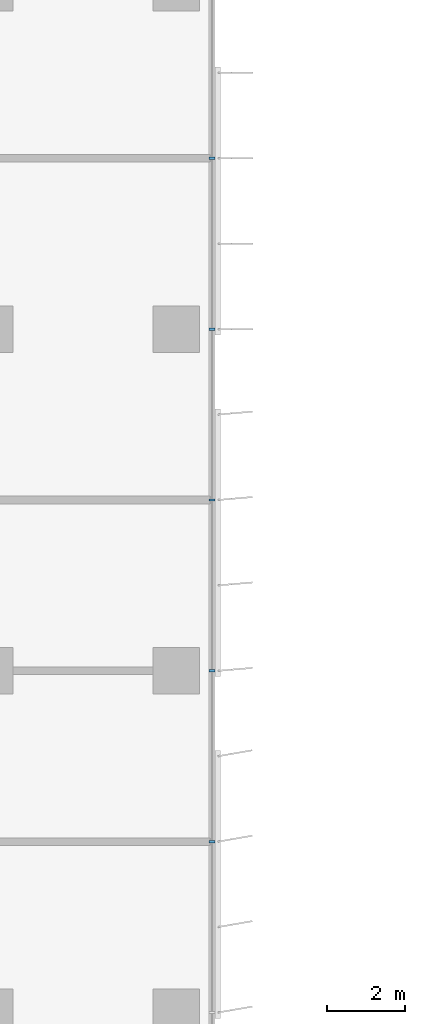
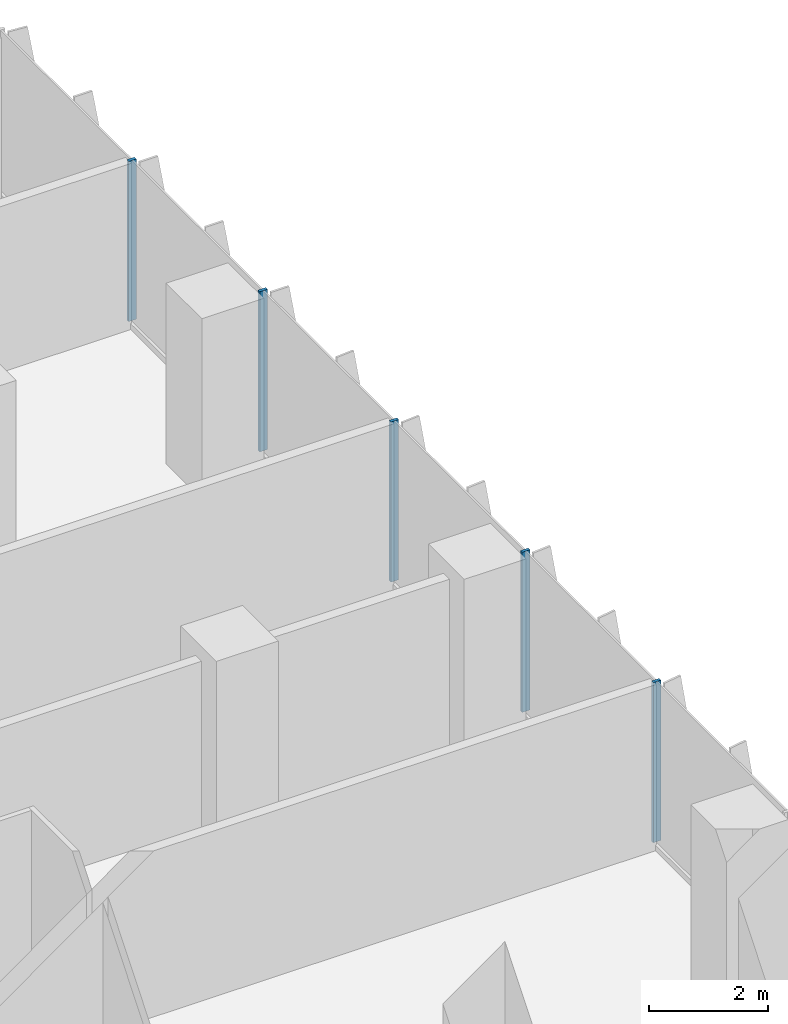
# One storey, part 5 of 23: 5 members, 1 element without a shape of its own.
"""IFC4 building model written with IfcOpenShell, lengths in metres."""

from ifc_helpers import new_model, si_unit, direction, frame, origin, origin_2d, place, context, subcontext, project, spatial, rectangle, extrude, source, transform, mapped, material, material_profile, profile_set, type_object, element, aggregate, save


model = new_model("IFC4")

# Units and contexts
model_context = context("Model", 3, precision=1e-05, world=origin(), true_north=direction((0.0, 1.0)))
body_context = subcontext(model_context, "Body", "Model", "MODEL_VIEW")
ifc_project = project(units=[si_unit("LENGTHUNIT", "METRE"), si_unit("AREAUNIT", "SQUARE_METRE"), si_unit("VOLUMEUNIT", "CUBIC_METRE"), si_unit("PLANEANGLEUNIT", "RADIAN"), si_unit("MASSUNIT", "GRAM", prefix="KILO")], contexts=[model_context])

# Site, building, storey
site_placement = place(None, origin())
site = spatial("IfcSite", under=ifc_project, at=site_placement, CompositionType="ELEMENT")
building_placement = place(site_placement, origin())
building = spatial("IfcBuilding", under=site, at=building_placement, Name="Kemantara Hotel Tower", CompositionType="ELEMENT")
storey_placement = place(building_placement, frame((0.0, 0.0, 142.0)))
storey = spatial("IfcBuildingStorey", under=building, at=storey_placement, Name="L34", CompositionType="ELEMENT", Elevation=142.0)

# Curtain wall, members
ifc_material_1 = material(Name="Low-E tinted double insulated glass 36 mm", Category="glass")
curtain_wall_type = type_object("IfcCurtainWallType", Name="TOWER CURTAIN WALL, FRONT FACES", PredefinedType="USERDEFINED", material=ifc_material_1)
curtain_wall_placement = place(storey_placement, origin())
curtain_wall = element("IfcCurtainWall", 1, at=curtain_wall_placement, inside=storey, type_object=curtain_wall_type, Name="CW4 L34 T2-R14-1", ObjectType="TOWER CURTAIN WALL, FRONT FACES", PredefinedType="USERDEFINED")
ifc_material_2 = material(Name="Aluminium 6063-T6 bronze anodised", Category="aluminium")
ifc_material_profile = material_profile(ifc_material_2, rectangle(XDim=0.14990234375, YDim=0.06005859375, at=origin_2d()), Name="TOWER CURTAIN WALL, FRONT FACES MULLION")
ifc_profile_set = profile_set([ifc_material_profile], Name="Aluminium 6063-T6 bronze anodised")
member_type = type_object("IfcMemberType", Name="TOWER CURTAIN WALL, FRONT FACES MULLION", PredefinedType="MULLION", material=ifc_profile_set)
shared_shape = source(origin(), body_context, "Body", "SweptSolid", [
    extrude(rectangle(XDim=0.14990234375, YDim=0.06005859375, at=origin_2d()), origin(), (0.0, 0.0, 1.0), 3.27978515625),
])
member_1_placement = place(storey_placement, frame((26.72509765625, 31.800048828125, 0.1201171875), z_axis=(0.0, 0.0, 1.0), x_axis=(-1.0, 0.0, 0.0)))
member_1 = element("IfcMember", 2, at=member_1_placement, type_object=member_type, Name="CW4 mullion T2-R14-1.4", PredefinedType="MULLION", context=body_context, shape_type="MappedRepresentation", body=[
    mapped(shared_shape, transform((0.0, 0.0, 0.0))),
])
member_2_placement = place(storey_placement, frame((26.72509765625, 36.199951171875, 0.1201171875), z_axis=(0.0, 0.0, 1.0), x_axis=(-1.0, 0.0, 0.0)))
member_2 = element("IfcMember", 3, at=member_2_placement, type_object=member_type, Name="CW4 mullion T2-R14-1.5", PredefinedType="MULLION", context=body_context, shape_type="MappedRepresentation", body=[
    mapped(shared_shape, transform((0.0, 0.0, 0.0))),
])
member_3_placement = place(storey_placement, frame((26.72509765625, 40.60009765625, 0.1201171875), z_axis=(0.0, 0.0, 1.0), x_axis=(-1.0, 0.0, 0.0)))
member_3 = element("IfcMember", 4, at=member_3_placement, type_object=member_type, Name="CW4 mullion T2-R14-1.6", PredefinedType="MULLION", context=body_context, shape_type="MappedRepresentation", body=[
    mapped(shared_shape, transform((0.0, 0.0, 0.0))),
])
member_4_placement = place(storey_placement, frame((26.72509765625, 45.0, 0.1201171875), z_axis=(0.0, 0.0, 1.0), x_axis=(-1.0, 0.0, 0.0)))
member_4 = element("IfcMember", 5, at=member_4_placement, type_object=member_type, Name="CW4 mullion T2-R14-1.7", PredefinedType="MULLION", context=body_context, shape_type="MappedRepresentation", body=[
    mapped(shared_shape, transform((0.0, 0.0, 0.0))),
])
member_5_placement = place(storey_placement, frame((26.72509765625, 49.39990234375, 0.1201171875), z_axis=(0.0, 0.0, 1.0), x_axis=(-1.0, 0.0, 0.0)))
member_5 = element("IfcMember", 6, at=member_5_placement, type_object=member_type, Name="CW4 mullion T2-R14-1.8", PredefinedType="MULLION", context=body_context, shape_type="MappedRepresentation", body=[
    mapped(shared_shape, transform((0.0, 0.0, 0.0))),
])
aggregate(curtain_wall, [member_1, member_2, member_3, member_4, member_5])

save(model, "model.ifc")
